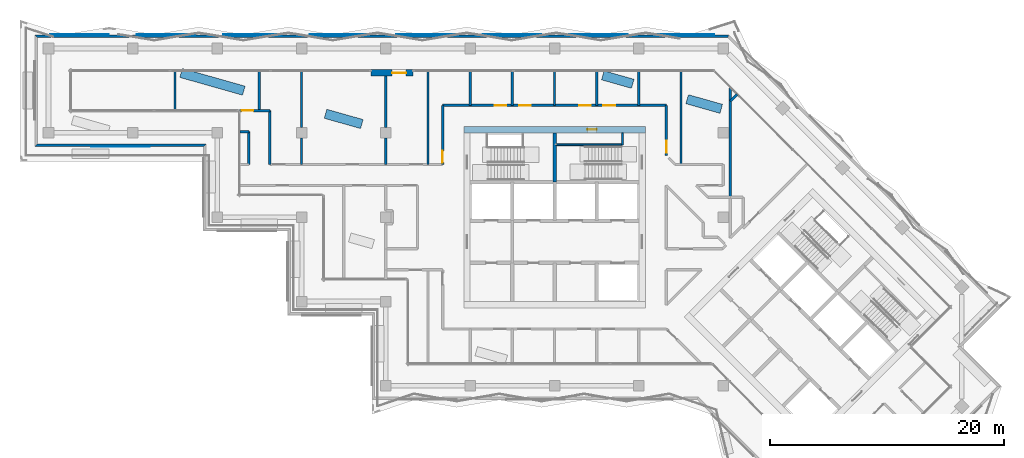
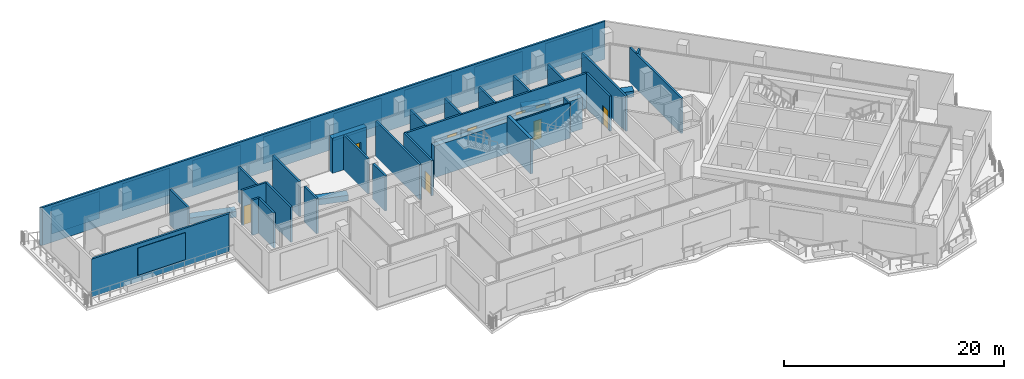
# One storey, part 11 of 19: 33 walls, 9 doors, 9 plates, 9 openings.
"""IFC4 building model written with IfcOpenShell, lengths in metres."""

from ifc_helpers import new_model, si_unit, direction, frame, frame_2d, origin, place, context, subcontext, project, spatial, polyline, rectangle, outline, extrude, material, layer, layer_set, type_object, element, fill, aggregate, save


model = new_model("IFC4")

# Units and contexts
model_context = context("Model", 3, precision=1e-05, world=origin(), true_north=direction((0.0, 1.0)))
body_context = subcontext(model_context, "Body", "Model", "MODEL_VIEW")
ifc_project = project(units=[si_unit("LENGTHUNIT", "METRE"), si_unit("AREAUNIT", "SQUARE_METRE"), si_unit("VOLUMEUNIT", "CUBIC_METRE"), si_unit("PLANEANGLEUNIT", "RADIAN"), si_unit("MASSUNIT", "GRAM", prefix="KILO")], contexts=[model_context])

# Plate
ifc_material_1 = material(Name="Aluminium louvre", Category="aluminium")
ifc_layer_1 = layer(ifc_material_1, 0.05)
ifc_layer_set_1 = layer_set([ifc_layer_1], Name="Belt louvre panel 5000x3000")
plate_type = type_object("IfcPlateType", Name="Belt louvre panel 5000x3000", PredefinedType="SHEET", material=ifc_layer_set_1)
site_placement = place(None, origin())
building_placement = place(site_placement, origin())
storey_placement = place(building_placement, frame((0.0, 0.0, 176.2)))
plate_1_placement = place(storey_placement, frame((78.4421, 73.2, 0.75), z_axis=(0.0, 1.0, 0.0), x_axis=(-1.0, 0.0, 0.0)))
plate_1 = element("IfcPlate", 1, at=plate_1_placement, type_object=plate_type, Name="Belt louvre panel L48 15.1", PredefinedType="SHEET", context=body_context, shape_type="SweptSolid", body=[
    extrude(outline(polyline([(0.0, 0.0), (5.0, 0.0), (5.0, 3.0), (0.0, 3.0), (0.0, 0.0)])), origin(), (0.0, 0.0, -1.0), 0.05),
])

plate_2_placement = place(storey_placement, frame((71.0565, 73.2, 0.75), z_axis=(0.0, 1.0, 0.0), x_axis=(-1.0, 0.0, 0.0)))
plate_2 = element("IfcPlate", 2, at=plate_2_placement, type_object=plate_type, Name="Belt louvre panel L48 16.2", PredefinedType="SHEET", context=body_context, shape_type="SweptSolid", body=[
    extrude(outline(polyline([(0.0, 0.0), (5.0, 0.0), (5.0, 3.0), (0.0, 3.0), (0.0, 0.0)])), origin(), (0.0, 0.0, -1.0), 0.05),
])

plate_3_placement = place(storey_placement, frame((63.6709, 73.2, 0.75), z_axis=(0.0, 1.0, 0.0), x_axis=(-1.0, 0.0, 0.0)))
plate_3 = element("IfcPlate", 3, at=plate_3_placement, type_object=plate_type, Name="Belt louvre panel L48 17.3", PredefinedType="SHEET", context=body_context, shape_type="SweptSolid", body=[
    extrude(outline(polyline([(0.0, 0.0), (5.0, 0.0), (5.0, 3.0), (0.0, 3.0), (0.0, 0.0)])), origin(), (0.0, 0.0, -1.0), 0.05),
])

plate_4_placement = place(storey_placement, frame((56.2852, 73.2, 0.75), z_axis=(0.0, 1.0, 0.0), x_axis=(-1.0, 0.0, 0.0)))
plate_4 = element("IfcPlate", 4, at=plate_4_placement, type_object=plate_type, Name="Belt louvre panel L48 18.4", PredefinedType="SHEET", context=body_context, shape_type="SweptSolid", body=[
    extrude(outline(polyline([(0.0, 0.0), (5.0, 0.0), (5.0, 3.0), (0.0, 3.0), (0.0, 0.0)])), origin(), (0.0, 0.0, -1.0), 0.05),
])

plate_5_placement = place(storey_placement, frame((48.8996, 73.2, 0.75), z_axis=(0.0, 1.0, 0.0), x_axis=(-1.0, 0.0, 0.0)))
plate_5 = element("IfcPlate", 5, at=plate_5_placement, type_object=plate_type, Name="Belt louvre panel L48 19.5", PredefinedType="SHEET", context=body_context, shape_type="SweptSolid", body=[
    extrude(outline(polyline([(0.0, 0.0), (5.0, 0.0), (5.0, 3.0), (0.0, 3.0), (0.0, 0.0)])), origin(), (0.0, 0.0, -1.0), 0.05),
])

plate_6_placement = place(storey_placement, frame((41.514, 73.2, 0.75), z_axis=(0.0, 1.0, 0.0), x_axis=(-1.0, 0.0, 0.0)))
plate_6 = element("IfcPlate", 6, at=plate_6_placement, type_object=plate_type, Name="Belt louvre panel L48 20.6", PredefinedType="SHEET", context=body_context, shape_type="SweptSolid", body=[
    extrude(outline(polyline([(0.0, 0.0), (5.0, 0.0), (5.0, 3.0), (0.0, 3.0), (0.0, 0.0)])), origin(), (0.0, 0.0, -1.0), 0.05),
])

plate_7_placement = place(storey_placement, frame((34.1284, 73.2, 0.75), z_axis=(0.0, 1.0, 0.0), x_axis=(-1.0, 0.0, 0.0)))
plate_7 = element("IfcPlate", 7, at=plate_7_placement, type_object=plate_type, Name="Belt louvre panel L48 21.7", PredefinedType="SHEET", context=body_context, shape_type="SweptSolid", body=[
    extrude(outline(polyline([(0.0, 0.0), (5.0, 0.0), (5.0, 3.0), (0.0, 3.0), (0.0, 0.0)])), origin(), (0.0, 0.0, -1.0), 0.05),
])

plate_8_placement = place(storey_placement, frame((26.7428, 73.2, 0.75), z_axis=(0.0, 1.0, 0.0), x_axis=(-1.0, 0.0, 0.0)))
plate_8 = element("IfcPlate", 8, at=plate_8_placement, type_object=plate_type, Name="Belt louvre panel L48 22.8", PredefinedType="SHEET", context=body_context, shape_type="SweptSolid", body=[
    extrude(outline(polyline([(0.0, 0.0), (5.0, 0.0), (5.0, 3.0), (0.0, 3.0), (0.0, 0.0)])), origin(), (0.0, 0.0, -1.0), 0.05),
])

plate_9_placement = place(storey_placement, frame((25.25, 63.6, 0.75), z_axis=(0.0, -1.0, 0.0), x_axis=(1.0, 0.0, 0.0)))
plate_9 = element("IfcPlate", 9, at=plate_9_placement, type_object=plate_type, Name="Belt louvre panel L48 37.1", PredefinedType="SHEET", context=body_context, shape_type="SweptSolid", body=[
    extrude(outline(polyline([(0.0, 0.0), (5.0, 0.0), (5.0, 3.0), (0.0, 3.0), (0.0, 0.0)])), origin(), (0.0, 0.0, -1.0), 0.05),
])

# Site, building, storey
site = spatial("IfcSite", under=ifc_project, at=site_placement, CompositionType="ELEMENT")
building = spatial("IfcBuilding", under=site, at=building_placement, Name="Windrow Commons", CompositionType="ELEMENT")
storey = spatial("IfcBuildingStorey", under=building, at=storey_placement, Name="L48", CompositionType="ELEMENT", Elevation=176.2)

# Wall
ifc_material_2 = material(Name="Concrete C40/50 precast screen panel", Category="concrete")
ifc_layer_2 = layer(ifc_material_2, 0.2)
ifc_layer_set_2 = layer_set([ifc_layer_2], Name="Belt screen wall 200")
wall_type_1 = type_object("IfcWallType", Name="Belt screen wall 200", PredefinedType="SOLIDWALL", material=ifc_layer_set_2)
wall_1_placement = place(storey_placement, frame((79.6349, 73.05, 0.0), z_axis=(0.0, 0.0, 1.0), x_axis=(-1.0, 0.0, 0.0)))
wall_1 = element("IfcWall", 10, at=wall_1_placement, inside=storey, type_object=wall_type_1, Name="Belt screen wall L48 15", PredefinedType="SOLIDWALL", context=body_context, shape_type="SweptSolid", body=[
    extrude(outline(polyline([(-0.0414, -0.1), (59.1849, -0.1), (58.9849, 0.1), (0.0414, 0.1), (-0.0414, -0.1)])), origin(), (0.0, 0.0, 1.0), 4.2),
])

aggregate(wall_1, [plate_1, plate_2, plate_3, plate_4, plate_5, plate_6, plate_7, plate_8])

wall_2_placement = place(storey_placement, frame((20.55, 63.75, 0.0), z_axis=(0.0, 0.0, 1.0), x_axis=(1.0, 0.0, 0.0)))
wall_2 = element("IfcWall", 11, at=wall_2_placement, inside=storey, type_object=wall_type_1, Name="Belt screen wall L48 37", PredefinedType="SOLIDWALL", context=body_context, shape_type="SweptSolid", body=[
    extrude(outline(polyline([(-0.1, -0.1), (14.3, -0.1), (14.5, 0.1), (0.1, 0.1), (-0.1, -0.1)])), origin(), (0.0, 0.0, 1.0), 4.2),
])

aggregate(wall_2, [plate_9])

# Wall, opening, door
ifc_material_3 = material(Name="Brick masonry, red clay brick", Category="masonry")
ifc_layer_3 = layer(ifc_material_3, 0.55)
ifc_layer_set_3 = layer_set([ifc_layer_3], Name="Brick facade wall 550")
wall_type_2 = type_object("IfcWallType", Name="Brick facade wall 550", PredefinedType="SOLIDWALL", material=ifc_layer_set_3)
wall_3_placement = place(storey_placement, frame((52.7274, 69.925, 0.0), z_axis=(0.0, 0.0, 1.0), x_axis=(-1.0, 0.0, 0.0)))
wall_3 = element("IfcWall", 12, at=wall_3_placement, inside=storey, type_object=wall_type_2, Name="Brick facade wall L48 door pier 4", PredefinedType="SOLIDWALL", context=body_context, shape_type="SweptSolid", body=[
    extrude(rectangle(XDim=3.6, YDim=0.55, at=frame_2d((1.8, 0.0))), origin(), (0.0, 0.0, 1.0), 3.9),
])
opening_1_placement = place(wall_3_placement, frame((0.6, 0.0, 0.0)))
opening_1 = element("IfcOpeningElement", 13, at=opening_1_placement, cuts=wall_3, Name="Opening TD7", PredefinedType="OPENING", context=body_context, shape_type="SweptSolid", body=[
    extrude(rectangle(XDim=1.2, YDim=2.4, at=frame_2d((0.6, 1.2))), frame((0.0, 0.285, 0.0), z_axis=(0.0, -1.0, 0.0), x_axis=(1.0, 0.0, 0.0)), (0.0, 0.0, 1.0), 0.57),
])
ifc_material_4 = material(Name="Aluminium 6063-T6 anodised frame with clear glass", Category="aluminium")
door_type_1 = type_object("IfcDoorType", Name="Terrace door TD7 1200x2400", OperationType="SINGLE_SWING_LEFT", PredefinedType="DOOR", material=ifc_material_4)
door_1_placement = place(opening_1_placement, origin())
door_1 = element("IfcDoor", 14, at=door_1_placement, inside=storey, type_object=door_type_1, Name="Terrace door L48 4.1", OperationType="SINGLE_SWING_LEFT", OverallHeight=2.4, OverallWidth=1.2, PredefinedType="DOOR", context=body_context, shape_type="SweptSolid", body=[
    extrude(rectangle(XDim=1.2, YDim=2.4, at=frame_2d((0.6, 1.2))), frame((0.0, 0.025, 0.0), z_axis=(0.0, -1.0, 0.0), x_axis=(1.0, 0.0, 0.0)), (0.0, 0.0, 1.0), 0.05),
])
fill(opening_1, door_1)

# Wall, openings, doors
ifc_material_5 = material(Name="Blockwork partition", Category="masonry")
ifc_layer_4 = layer(ifc_material_5, 0.2)
ifc_layer_set_4 = layer_set([ifc_layer_4], Name="IW-CORRIDOR-200")
wall_type_3 = type_object("IfcWallType", Name="IW-CORRIDOR-200", PredefinedType="PARTITIONING", material=ifc_layer_set_4)
wall_4_placement = place(storey_placement, frame((55.25, 67.15, 0.0), z_axis=(0.0, 0.0, 1.0), x_axis=(1.0, 0.0, 0.0)))
wall_4 = element("IfcWall", 15, at=wall_4_placement, inside=storey, type_object=wall_type_3, Name="W-L48-W001", PredefinedType="PARTITIONING", context=body_context, shape_type="SweptSolid", body=[
    extrude(rectangle(XDim=19.1, YDim=0.2, at=frame_2d((9.55, 0.0))), origin(), (0.0, 0.0, 1.0), 3.9),
])
opening_2_placement = place(wall_4_placement, frame((4.4425, 0.0, 0.0)))
opening_2 = element("IfcOpeningElement", 16, at=opening_2_placement, cuts=wall_4, Name="Opening D310F", PredefinedType="OPENING", context=body_context, shape_type="SweptSolid", body=[
    extrude(rectangle(XDim=1.0, YDim=2.1, at=frame_2d((0.5, 1.05))), frame((0.0, 0.11, 0.0), z_axis=(0.0, -1.0, 0.0), x_axis=(1.0, 0.0, 0.0)), (0.0, 0.0, 1.0), 0.22),
])
opening_3_placement = place(wall_4_placement, frame((6.5175, 0.0, 0.0)))
opening_3 = element("IfcOpeningElement", 17, at=opening_3_placement, cuts=wall_4, Name="Opening D310F", PredefinedType="OPENING", context=body_context, shape_type="SweptSolid", body=[
    extrude(rectangle(XDim=1.0, YDim=2.1, at=frame_2d((0.5, 1.05))), frame((0.0, 0.11, 0.0), z_axis=(0.0, -1.0, 0.0), x_axis=(1.0, 0.0, 0.0)), (0.0, 0.0, 1.0), 0.22),
])
opening_4_placement = place(wall_4_placement, frame((11.6425, 0.0, 0.0)))
opening_4 = element("IfcOpeningElement", 18, at=opening_4_placement, cuts=wall_4, Name="Opening D310F", PredefinedType="OPENING", context=body_context, shape_type="SweptSolid", body=[
    extrude(rectangle(XDim=1.0, YDim=2.1, at=frame_2d((0.5, 1.05))), frame((0.0, 0.11, 0.0), z_axis=(0.0, -1.0, 0.0), x_axis=(1.0, 0.0, 0.0)), (0.0, 0.0, 1.0), 0.22),
])
opening_5_placement = place(wall_4_placement, frame((13.7175, 0.0, 0.0)))
opening_5 = element("IfcOpeningElement", 19, at=opening_5_placement, cuts=wall_4, Name="Opening D310F", PredefinedType="OPENING", context=body_context, shape_type="SweptSolid", body=[
    extrude(rectangle(XDim=1.0, YDim=2.1, at=frame_2d((0.5, 1.05))), frame((0.0, 0.11, 0.0), z_axis=(0.0, -1.0, 0.0), x_axis=(1.0, 0.0, 0.0)), (0.0, 0.0, 1.0), 0.22),
])
ifc_material_6 = material(Name="Timber door leaf", Category="wood")
door_type_2 = type_object("IfcDoorType", Name="DT-AMENITY-1000", OperationType="SINGLE_SWING_LEFT", PredefinedType="DOOR", material=ifc_material_6)
door_2_placement = place(opening_2_placement, origin())
door_2 = element("IfcDoor", 20, at=door_2_placement, inside=storey, type_object=door_type_2, Name="D-L48-D017", OperationType="SINGLE_SWING_RIGHT", OverallHeight=2.1, OverallWidth=1.0, PredefinedType="DOOR", context=body_context, shape_type="SweptSolid", body=[
    extrude(rectangle(XDim=1.0, YDim=2.1, at=frame_2d((0.5, 1.05))), frame((0.0, 0.025, 0.0), z_axis=(0.0, -1.0, 0.0), x_axis=(1.0, 0.0, 0.0)), (0.0, 0.0, 1.0), 0.05),
])
fill(opening_2, door_2)
door_3_placement = place(opening_3_placement, origin())
door_3 = element("IfcDoor", 21, at=door_3_placement, inside=storey, type_object=door_type_2, Name="D-L48-D018", OperationType="SINGLE_SWING_LEFT", OverallHeight=2.1, OverallWidth=1.0, PredefinedType="DOOR", context=body_context, shape_type="SweptSolid", body=[
    extrude(rectangle(XDim=1.0, YDim=2.1, at=frame_2d((0.5, 1.05))), frame((0.0, 0.025, 0.0), z_axis=(0.0, -1.0, 0.0), x_axis=(1.0, 0.0, 0.0)), (0.0, 0.0, 1.0), 0.05),
])
fill(opening_3, door_3)
door_4_placement = place(opening_4_placement, origin())
door_4 = element("IfcDoor", 22, at=door_4_placement, inside=storey, type_object=door_type_2, Name="D-L48-D019", OperationType="SINGLE_SWING_RIGHT", OverallHeight=2.1, OverallWidth=1.0, PredefinedType="DOOR", context=body_context, shape_type="SweptSolid", body=[
    extrude(rectangle(XDim=1.0, YDim=2.1, at=frame_2d((0.5, 1.05))), frame((0.0, 0.025, 0.0), z_axis=(0.0, -1.0, 0.0), x_axis=(1.0, 0.0, 0.0)), (0.0, 0.0, 1.0), 0.05),
])
fill(opening_4, door_4)
door_5_placement = place(opening_5_placement, origin())
door_5 = element("IfcDoor", 23, at=door_5_placement, inside=storey, type_object=door_type_2, Name="D-L48-D020", OperationType="SINGLE_SWING_LEFT", OverallHeight=2.1, OverallWidth=1.0, PredefinedType="DOOR", context=body_context, shape_type="SweptSolid", body=[
    extrude(rectangle(XDim=1.0, YDim=2.1, at=frame_2d((0.5, 1.05))), frame((0.0, 0.025, 0.0), z_axis=(0.0, -1.0, 0.0), x_axis=(1.0, 0.0, 0.0)), (0.0, 0.0, 1.0), 0.05),
])
fill(opening_5, door_5)

# Wall, opening, door
wall_5_placement = place(storey_placement, frame((55.25, 62.102, 0.0), z_axis=(0.0, 0.0, 1.0), x_axis=(0.0, 1.0, 0.0)))
wall_5 = element("IfcWall", 24, at=wall_5_placement, inside=storey, type_object=wall_type_3, Name="W-L48-W015", PredefinedType="PARTITIONING", context=body_context, shape_type="SweptSolid", body=[
    extrude(rectangle(XDim=5.048, YDim=0.2, at=frame_2d((2.524, 0.0))), origin(), (0.0, 0.0, 1.0), 3.9),
])
opening_6_placement = place(wall_5_placement, frame((0.1566, 0.0, 0.0)))
opening_6 = element("IfcOpeningElement", 25, at=opening_6_placement, cuts=wall_5, Name="Opening D310F", PredefinedType="OPENING", context=body_context, shape_type="SweptSolid", body=[
    extrude(rectangle(XDim=1.0, YDim=2.1, at=frame_2d((0.5, 1.05))), frame((0.0, 0.11, 0.0), z_axis=(0.0, -1.0, 0.0), x_axis=(1.0, 0.0, 0.0)), (0.0, 0.0, 1.0), 0.22),
])
door_6_placement = place(opening_6_placement, origin())
door_6 = element("IfcDoor", 26, at=door_6_placement, inside=storey, type_object=door_type_2, Name="D-L48-D015", OperationType="SINGLE_SWING_LEFT", OverallHeight=2.1, OverallWidth=1.0, PredefinedType="DOOR", context=body_context, shape_type="SweptSolid", body=[
    extrude(rectangle(XDim=1.0, YDim=2.1, at=frame_2d((0.5, 1.05))), frame((0.0, 0.025, 0.0), z_axis=(0.0, -1.0, 0.0), x_axis=(1.0, 0.0, 0.0)), (0.0, 0.0, 1.0), 0.05),
])
fill(opening_6, door_6)

# Wall
wall_6_placement = place(storey_placement, frame((40.5, 62.102, 0.0), z_axis=(0.0, 0.0, 1.0), x_axis=(0.0, 1.0, 0.0)))
element("IfcWall", 27, at=wall_6_placement, inside=storey, type_object=wall_type_3, Name="W-L48-W020", PredefinedType="PARTITIONING", context=body_context, shape_type="SweptSolid", body=[
    extrude(rectangle(XDim=4.598, YDim=0.2, at=frame_2d((2.299, 0.0))), origin(), (0.0, 0.0, 1.0), 3.9),
])

# Wall, opening, door
wall_7_placement = place(storey_placement, frame((74.35, 62.85, 0.0), z_axis=(0.0, 0.0, 1.0), x_axis=(0.0, 1.0, 0.0)))
wall_7 = element("IfcWall", 28, at=wall_7_placement, inside=storey, type_object=wall_type_3, Name="W-L48-W022", PredefinedType="PARTITIONING", context=body_context, shape_type="SweptSolid", body=[
    extrude(rectangle(XDim=4.3, YDim=0.2, at=frame_2d((2.15, 0.0))), origin(), (0.0, 0.0, 1.0), 3.9),
])
opening_7_placement = place(wall_7_placement, frame((0.268, 0.0, 0.0)))
opening_7 = element("IfcOpeningElement", 29, at=opening_7_placement, cuts=wall_7, Name="Opening D310F", PredefinedType="OPENING", context=body_context, shape_type="SweptSolid", body=[
    extrude(rectangle(XDim=1.0, YDim=2.1, at=frame_2d((0.5, 1.05))), frame((0.0, 0.11, 0.0), z_axis=(0.0, -1.0, 0.0), x_axis=(1.0, 0.0, 0.0)), (0.0, 0.0, 1.0), 0.22),
])
door_7_placement = place(opening_7_placement, origin())
door_7 = element("IfcDoor", 30, at=door_7_placement, inside=storey, type_object=door_type_2, Name="D-L48-D016", OperationType="SINGLE_SWING_RIGHT", OverallHeight=2.1, OverallWidth=1.0, PredefinedType="DOOR", context=body_context, shape_type="SweptSolid", body=[
    extrude(rectangle(XDim=1.0, YDim=2.1, at=frame_2d((0.5, 1.05))), frame((0.0, 0.025, 0.0), z_axis=(0.0, -1.0, 0.0), x_axis=(1.0, 0.0, 0.0)), (0.0, 0.0, 1.0), 0.05),
])
fill(opening_7, door_7)

# Wall
wall_8_placement = place(storey_placement, frame((38.7, 62.102, 0.0), z_axis=(0.0, 0.0, 1.0), x_axis=(0.0, 1.0, 0.0)))
element("IfcWall", 31, at=wall_8_placement, inside=storey, type_object=wall_type_3, Name="W-L48-W043", PredefinedType="PARTITIONING", context=body_context, shape_type="SweptSolid", body=[
    extrude(rectangle(XDim=2.798, YDim=0.2, at=frame_2d((1.399, 0.0))), origin(), (0.0, 0.0, 1.0), 3.9),
])

# Wall, opening, door
wall_9_placement = place(storey_placement, frame((37.912, 66.7, 0.0), z_axis=(0.0, 0.0, 1.0), x_axis=(1.0, 0.0, 0.0)))
wall_9 = element("IfcWall", 32, at=wall_9_placement, inside=storey, type_object=wall_type_3, Name="W-L48-W046", PredefinedType="PARTITIONING", context=body_context, shape_type="SweptSolid", body=[
    extrude(rectangle(XDim=2.588, YDim=0.2, at=frame_2d((1.294, 0.0))), origin(), (0.0, 0.0, 1.0), 3.9),
])
opening_8_placement = place(wall_9_placement, frame((0.1805, 0.0, 0.0)))
opening_8 = element("IfcOpeningElement", 33, at=opening_8_placement, cuts=wall_9, Name="Opening D310F", PredefinedType="OPENING", context=body_context, shape_type="SweptSolid", body=[
    extrude(rectangle(XDim=1.0, YDim=2.1, at=frame_2d((0.5, 1.05))), frame((0.0, 0.11, 0.0), z_axis=(0.0, -1.0, 0.0), x_axis=(1.0, 0.0, 0.0)), (0.0, 0.0, 1.0), 0.22),
])
door_8_placement = place(opening_8_placement, origin())
door_8 = element("IfcDoor", 34, at=door_8_placement, inside=storey, type_object=door_type_2, Name="D-L48-D011", OperationType="SINGLE_SWING_LEFT", OverallHeight=2.1, OverallWidth=1.0, PredefinedType="DOOR", context=body_context, shape_type="SweptSolid", body=[
    extrude(rectangle(XDim=1.0, YDim=2.1, at=frame_2d((0.5, 1.05))), frame((0.0, 0.025, 0.0), z_axis=(0.0, -1.0, 0.0), x_axis=(1.0, 0.0, 0.0)), (0.0, 0.0, 1.0), 0.05),
])
fill(opening_8, door_8)

# Walls
wall_10_placement = place(storey_placement, frame((37.93, 64.9, 0.0), z_axis=(0.0, 0.0, 1.0), x_axis=(1.0, 0.0, 0.0)))
element("IfcWall", 35, at=wall_10_placement, inside=storey, type_object=wall_type_3, Name="W-L48-W066", PredefinedType="PARTITIONING", context=body_context, shape_type="SweptSolid", body=[
    extrude(rectangle(XDim=0.77, YDim=0.2, at=frame_2d((0.385, 0.0))), origin(), (0.0, 0.0, 1.0), 3.9),
])
ifc_material_7 = material(Name="Blockwork partition", Category="masonry")
ifc_layer_5 = layer(ifc_material_7, 0.2)
ifc_layer_set_5 = layer_set([ifc_layer_5], Name="IW-PARTY-200")
wall_type_4 = type_object("IfcWallType", Name="IW-PARTY-200", PredefinedType="PARTITIONING", material=ifc_layer_set_5)
wall_11_placement = place(storey_placement, frame((79.8, 59.3, 0.0), z_axis=(0.0, 0.0, 1.0), x_axis=(0.0, 1.0, 0.0)))
element("IfcWall", 36, at=wall_11_placement, inside=storey, type_object=wall_type_4, Name="W-L48-W004", PredefinedType="PARTITIONING", context=body_context, shape_type="SweptSolid", body=[
    extrude(rectangle(XDim=9.37, YDim=0.2, at=frame_2d((4.685, 0.0))), origin(), (0.0, 0.0, 1.0), 3.9),
])
for number, where, z_axis, x_axis, name in (
    (37, (54.0, 62.1, 0.0), (0.0, 0.0, 1.0), (0.0, 1.0, 0.0), "W-L48-W008"),
    (38, (75.6, 62.1, 0.0), (0.0, 0.0, 1.0), (0.0, 1.0, 0.0), "W-L48-W009"),
):
    element("IfcWall", number, at=place(storey_placement, frame(where, z_axis=z_axis, x_axis=x_axis)), inside=storey, type_object=wall_type_4, Name=name, PredefinedType="PARTITIONING", context=body_context, shape_type="SweptSolid", body=[
        extrude(rectangle(XDim=7.97, YDim=0.2, at=frame_2d((3.985, 0.0))), origin(), (0.0, 0.0, 1.0), 3.9),
    ])
wall_12_placement = place(storey_placement, frame((43.2, 65.25, 0.0), z_axis=(0.0, 0.0, 1.0), x_axis=(0.0, 1.0, 0.0)))
element("IfcWall", 39, at=wall_12_placement, inside=storey, type_object=wall_type_4, Name="W-L48-W017", PredefinedType="PARTITIONING", context=body_context, shape_type="SweptSolid", body=[
    extrude(rectangle(XDim=4.82, YDim=0.2, at=frame_2d((2.41, 0.0))), origin(), (0.0, 0.0, 1.0), 3.9),
])
wall_13_placement = place(storey_placement, frame((50.4, 65.25, 0.0), z_axis=(0.0, 0.0, 1.0), x_axis=(0.0, 1.0, 0.0)))
element("IfcWall", 40, at=wall_13_placement, inside=storey, type_object=wall_type_4, Name="W-L48-W018", PredefinedType="PARTITIONING", context=body_context, shape_type="SweptSolid", body=[
    extrude(rectangle(XDim=4.4, YDim=0.2, at=frame_2d((2.2, 0.0))), origin(), (0.0, 0.0, 1.0), 3.9),
])
wall_14_placement = place(storey_placement, frame((39.6, 66.7, 0.0), z_axis=(0.0, 0.0, 1.0), x_axis=(0.0, 1.0, 0.0)))
element("IfcWall", 41, at=wall_14_placement, inside=storey, type_object=wall_type_4, Name="W-L48-W027", PredefinedType="PARTITIONING", context=body_context, shape_type="SweptSolid", body=[
    extrude(rectangle(XDim=3.37, YDim=0.2, at=frame_2d((1.685, 0.0))), origin(), (0.0, 0.0, 1.0), 3.9),
])
wall_15_placement = place(storey_placement, frame((32.4, 66.73, 0.0), z_axis=(0.0, 0.0, 1.0), x_axis=(0.0, 1.0, 0.0)))
element("IfcWall", 42, at=wall_15_placement, inside=storey, type_object=wall_type_4, Name="W-L48-W028", PredefinedType="PARTITIONING", context=body_context, shape_type="SweptSolid", body=[
    extrude(rectangle(XDim=3.34, YDim=0.2, at=frame_2d((1.67, 0.0))), origin(), (0.0, 0.0, 1.0), 3.9),
])
for number, where, z_axis, x_axis, name in (
    (43, (57.6, 67.15, 0.0), (0.0, 0.0, 1.0), (0.0, 1.0, 0.0), "W-L48-W037"),
    (44, (61.2, 67.15, 0.0), (0.0, 0.0, 1.0), (0.0, 1.0, 0.0), "W-L48-W038"),
    (45, (64.8, 67.15, 0.0), (0.0, 0.0, 1.0), (0.0, 1.0, 0.0), "W-L48-W039"),
    (46, (68.4, 67.15, 0.0), (0.0, 0.0, 1.0), (0.0, 1.0, 0.0), "W-L48-W040"),
    (47, (72.0, 67.15, 0.0), (0.0, 0.0, 1.0), (0.0, 1.0, 0.0), "W-L48-W041"),
):
    element("IfcWall", number, at=place(storey_placement, frame(where, z_axis=z_axis, x_axis=x_axis)), inside=storey, type_object=wall_type_4, Name=name, PredefinedType="PARTITIONING", context=body_context, shape_type="SweptSolid", body=[
        extrude(rectangle(XDim=2.92, YDim=0.2, at=frame_2d((1.46, 0.0))), origin(), (0.0, 0.0, 1.0), 3.9),
    ])
for number, where, z_axis, x_axis, name in (
    (48, (43.2, 62.1, 0.0), (0.0, 0.0, 1.0), (0.0, 1.0, 0.0), "W-L48-W049"),
    (49, (50.4, 62.1, 0.0), (0.0, 0.0, 1.0), (0.0, 1.0, 0.0), "W-L48-W050"),
):
    element("IfcWall", number, at=place(storey_placement, frame(where, z_axis=z_axis, x_axis=x_axis)), inside=storey, type_object=wall_type_4, Name=name, PredefinedType="PARTITIONING", context=body_context, shape_type="SweptSolid", body=[
        extrude(rectangle(XDim=2.25, YDim=0.2, at=frame_2d((1.125, 0.0))), origin(), (0.0, 0.0, 1.0), 3.9),
    ])
wall_16_placement = place(storey_placement, frame((79.7988, 67.5092, 0.0), z_axis=(0.0, 0.0, 1.0), x_axis=(0.7071067812, 0.7071067812, 0.0)))
element("IfcWall", 50, at=wall_16_placement, inside=storey, type_object=wall_type_4, Name="W-L48-W062", PredefinedType="PARTITIONING", context=body_context, shape_type="SweptSolid", body=[
    extrude(rectangle(XDim=0.8231, YDim=0.2, at=frame_2d((0.4116, 0.0))), origin(), (0.0, 0.0, 1.0), 3.9),
])
ifc_material_8 = material(Name="Concrete C30/37 planter wall", Category="concrete")
ifc_layer_6 = layer(ifc_material_8, 0.8)
ifc_layer_set_6 = layer_set([ifc_layer_6], Name="Planter 800x600")
wall_type_5 = type_object("IfcWallType", Name="Planter 800x600", PredefinedType="SOLIDWALL", material=ifc_layer_set_6)
wall_17_placement = place(storey_placement, frame((79.0301, 66.85, 0.0), z_axis=(0.0, 0.0, 1.0), x_axis=(-0.9622591579, 0.2721347332, 0.0)))
element("IfcWall", 51, at=wall_17_placement, inside=storey, type_object=wall_type_5, Name="PLANTER TR-L48-1 bed 2", PredefinedType="SOLIDWALL", context=body_context, shape_type="SweptSolid", body=[
    extrude(rectangle(XDim=3.0242, YDim=0.8, at=frame_2d((1.5121, 0.0))), origin(), (0.0, 0.0, 1.0), 0.65),
])
wall_18_placement = place(storey_placement, frame((71.48, 68.9851, 0.0), z_axis=(0.0, 0.0, 1.0), x_axis=(-0.962258062, 0.2721386082, 0.0)))
element("IfcWall", 52, at=wall_18_placement, inside=storey, type_object=wall_type_5, Name="PLANTER TR-L48-1 bed 3", PredefinedType="SOLIDWALL", context=body_context, shape_type="SweptSolid", body=[
    extrude(rectangle(XDim=2.6604, YDim=0.8, at=frame_2d((1.3302, 0.0))), origin(), (0.0, 0.0, 1.0), 0.65),
])
wall_19_placement = place(storey_placement, frame((38.271, 68.4, 0.0), z_axis=(0.0, 0.0, 1.0), x_axis=(-0.96225946, 0.2721336649, 0.0)))
element("IfcWall", 53, at=wall_19_placement, inside=storey, type_object=wall_type_5, Name="PLANTER TR-L48-1 bed 8", PredefinedType="SOLIDWALL", context=body_context, shape_type="SweptSolid", body=[
    extrude(rectangle(XDim=5.5609, YDim=0.8, at=frame_2d((2.7805, 0.0))), origin(), (0.0, 0.0, 1.0), 0.65),
])
wall_20_placement = place(storey_placement, frame((48.35, 65.5497, 0.0), z_axis=(0.0, 0.0, 1.0), x_axis=(-0.9622595861, 0.2721332191, 0.0)))
element("IfcWall", 54, at=wall_20_placement, inside=storey, type_object=wall_type_5, Name="PLANTER TR-L48-1 bed 7", PredefinedType="SOLIDWALL", context=body_context, shape_type="SweptSolid", body=[
    extrude(outline(polyline([(0.0, -0.4), (3.2216, -0.4), (3.2216, 0.4), (0.0, 0.4), (0.0, -0.4)])), origin(), (0.0, 0.0, 1.0), 0.65),
])

# Wall, opening, door
ifc_material_9 = material(Name="Concrete C50/60", Category="concrete")
ifc_layer_7 = layer(ifc_material_9, 0.55)
ifc_layer_set_7 = layer_set([ifc_layer_7], Name="RC CORE WALL 550 C50/60")
wall_type_6 = type_object("IfcWallType", Name="RC CORE WALL 550 C50/60", PredefinedType="SHEAR", material=ifc_layer_set_7)
wall_21_placement = place(storey_placement, frame((57.05, 65.075, -0.3), z_axis=(0.0, 0.0, 1.0), x_axis=(1.0, 0.0, 0.0)))
wall_21 = element("IfcWall", 55, at=wall_21_placement, inside=storey, type_object=wall_type_6, Name="Core A wall outer-N", PredefinedType="SHEAR", context=body_context, shape_type="SweptSolid", body=[
    extrude(rectangle(XDim=15.5, YDim=0.55, at=frame_2d((7.75, 0.0))), origin(), (0.0, 0.0, 1.0), 3.5),
])
opening_9_placement = place(wall_21_placement, frame((10.55, 0.0, 0.3)))
opening_9 = element("IfcOpeningElement", 56, at=opening_9_placement, cuts=wall_21, Name="Opening D9", PredefinedType="OPENING", context=body_context, shape_type="SweptSolid", body=[
    extrude(rectangle(XDim=0.8, YDim=2.1, at=frame_2d((0.4, 1.05))), frame((0.0, 0.285, 0.0), z_axis=(0.0, -1.0, 0.0), x_axis=(1.0, 0.0, 0.0)), (0.0, 0.0, 1.0), 0.57),
])
ifc_material_10 = material(Name="Steel fire door leaf", Category="steel")
door_type_3 = type_object("IfcDoorType", Name="Riser access door 800", OperationType="SINGLE_SWING_LEFT", PredefinedType="DOOR", material=ifc_material_10)
door_9_placement = place(opening_9_placement, origin())
door_9 = element("IfcDoor", 57, at=door_9_placement, inside=storey, type_object=door_type_3, Name="Riser access door", OperationType="SINGLE_SWING_RIGHT", OverallHeight=2.1, OverallWidth=0.8, PredefinedType="DOOR", context=body_context, shape_type="SweptSolid", body=[
    extrude(rectangle(XDim=0.8, YDim=2.1, at=frame_2d((0.4, 1.05))), frame((0.0, 0.025, 0.0), z_axis=(0.0, -1.0, 0.0), x_axis=(1.0, 0.0, 0.0)), (0.0, 0.0, 1.0), 0.05),
])
fill(opening_9, door_9)

# Walls
ifc_material_11 = material(Name="Concrete C50/60", Category="concrete")
ifc_layer_8 = layer(ifc_material_11, 0.3)
ifc_layer_set_8 = layer_set([ifc_layer_8], Name="RC SHAFT WALL 300 C50/60")
wall_type_7 = type_object("IfcWallType", Name="RC SHAFT WALL 300 C50/60", PredefinedType="SOLIDWALL", material=ifc_layer_set_8)
wall_22_placement = place(storey_placement, frame((64.8, 60.6, 0.0), z_axis=(0.0, 0.0, 1.0), x_axis=(0.0, 1.0, 0.0)))
element("IfcWall", 58, at=wall_22_placement, inside=storey, type_object=wall_type_7, Name="Core A wall stair-mid", PredefinedType="SOLIDWALL", context=body_context, shape_type="SweptSolid", body=[
    extrude(rectangle(XDim=4.2, YDim=0.3, at=frame_2d((2.1, 0.0))), origin(), (0.0, 0.0, 1.0), 3.9),
])
ifc_material_12 = material(Name="Blockwork partition", Category="masonry")
ifc_layer_9 = layer(ifc_material_12, 0.15)
ifc_layer_set_9 = layer_set([ifc_layer_9], Name="Riser partition 150")
wall_type_8 = type_object("IfcWallType", Name="Riser partition 150", PredefinedType="PARTITIONING", material=ifc_layer_set_9)
wall_23_placement = place(storey_placement, frame((64.95, 63.78, 0.0), z_axis=(0.0, 0.0, 1.0), x_axis=(1.0, 0.0, 0.0)))
element("IfcWall", 59, at=wall_23_placement, inside=storey, type_object=wall_type_8, Name="W-core-strip-A-L48", PredefinedType="PARTITIONING", context=body_context, shape_type="SweptSolid", body=[
    extrude(rectangle(XDim=5.65, YDim=0.15, at=frame_2d((2.825, 0.0))), origin(), (0.0, 0.0, 1.0), 3.9),
])
wall_24_placement = place(storey_placement, frame((70.6, 63.78, 0.0), z_axis=(0.0, 0.0, 1.0), x_axis=(0.0, 1.0, 0.0)))
element("IfcWall", 60, at=wall_24_placement, inside=storey, type_object=wall_type_8, Name="W-core-stripx-A-L48-1", PredefinedType="PARTITIONING", context=body_context, shape_type="SweptSolid", body=[
    extrude(rectangle(XDim=1.02, YDim=0.15, at=frame_2d((0.51, 0.0))), origin(), (0.0, 0.0, 1.0), 3.9),
])

save(model, "model.ifc")
